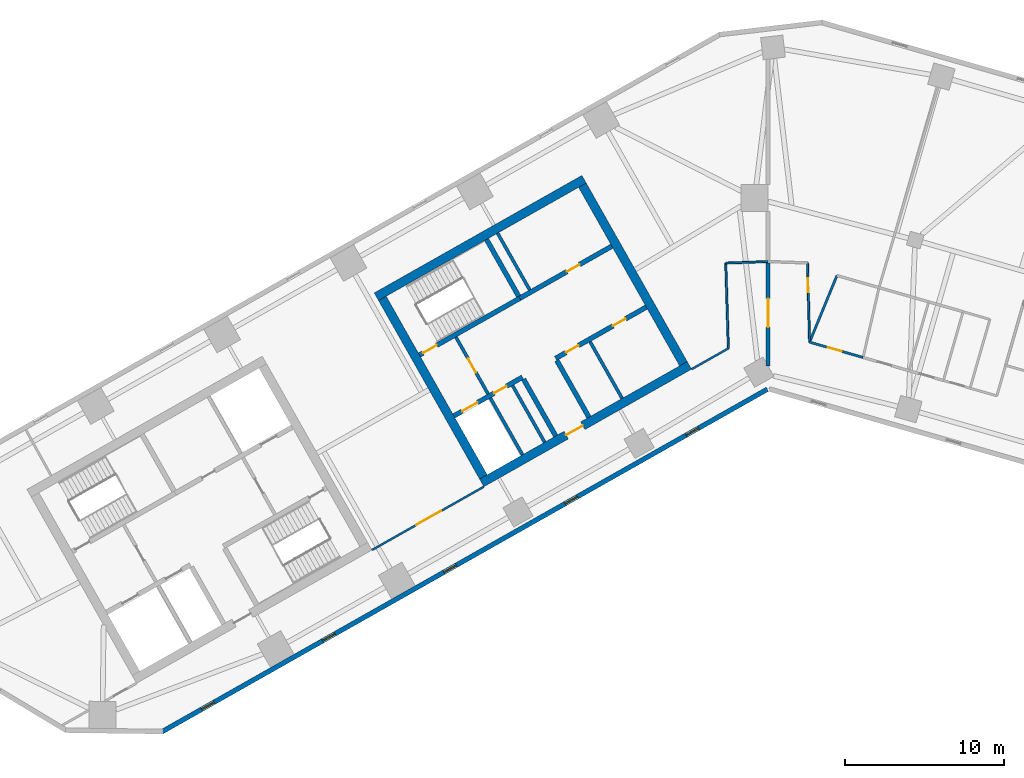
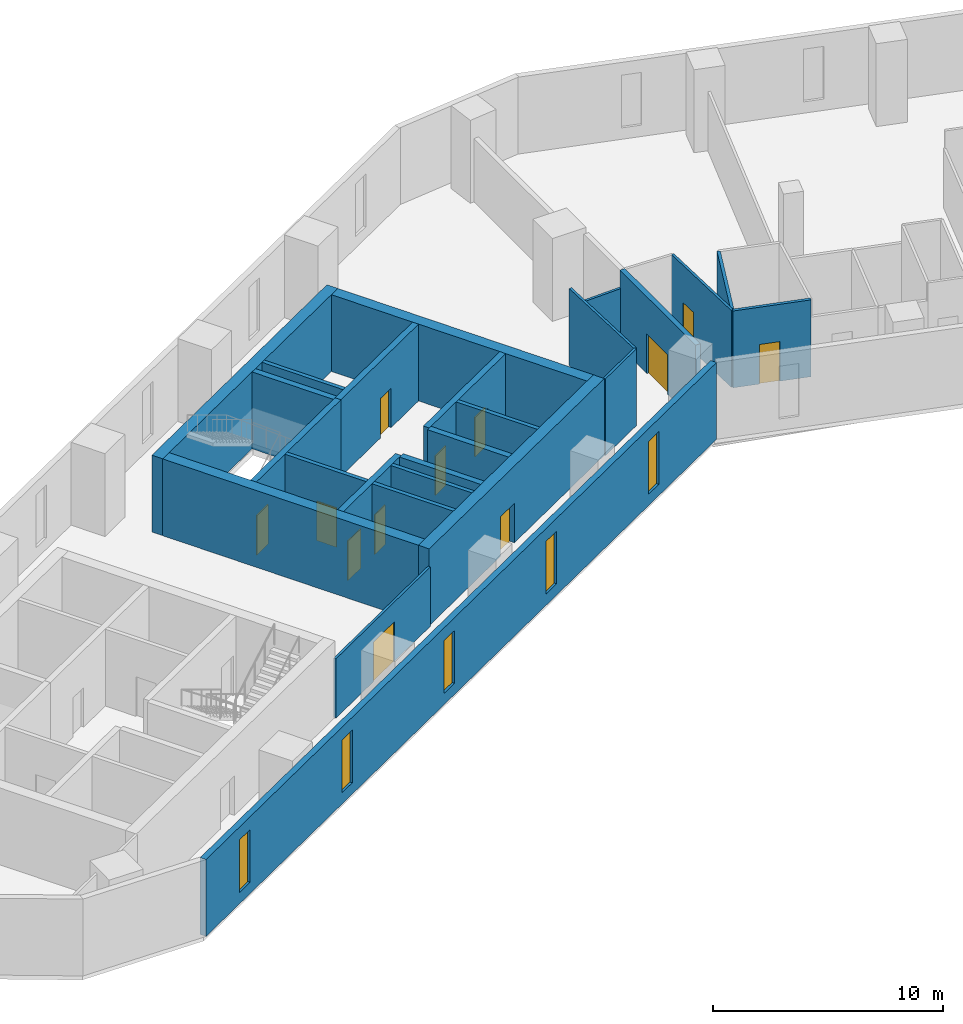
# One storey, part 4 of 10: 25 walls, 12 doors, 5 windows, 17 openings.
"""IFC4 building model written with IfcOpenShell, lengths in metres."""

from ifc_helpers import new_model, si_unit, direction, frame, frame_2d, origin, place, context, subcontext, project, spatial, rectangle, extrude, material, layer, layer_set, type_object, element, fill, save


model = new_model("IFC4")

# Units and contexts
model_context = context("Model", 3, precision=1e-05, world=origin(), true_north=direction((0.0, 1.0)))
body_context = subcontext(model_context, "Body", "Model", "MODEL_VIEW")
ifc_project = project(units=[si_unit("LENGTHUNIT", "METRE"), si_unit("AREAUNIT", "SQUARE_METRE"), si_unit("VOLUMEUNIT", "CUBIC_METRE"), si_unit("PLANEANGLEUNIT", "RADIAN"), si_unit("MASSUNIT", "GRAM", prefix="KILO")], contexts=[model_context])

# Site, building, storey
site_placement = place(None, origin())
site = spatial("IfcSite", under=ifc_project, at=site_placement, CompositionType="ELEMENT")
building_placement = place(site_placement, origin())
building = spatial("IfcBuilding", under=site, at=building_placement, Name="Binnacle Exchange Tower", CompositionType="ELEMENT")
storey_placement = place(building_placement, frame((0.0, 0.0, 110.300048828125)))
storey = spatial("IfcBuildingStorey", under=building, at=storey_placement, Name="L22", CompositionType="ELEMENT", Elevation=110.300048828125)

# Wall
ifc_material_1 = material(Name="Gypsum partition fire rated")
ifc_layer_1 = layer(ifc_material_1, 0.199951171875)
ifc_layer_set_1 = layer_set([ifc_layer_1], Name="Core partition 200")
wall_type_1 = type_object("IfcWallType", Name="Core partition 200", PredefinedType="PARTITIONING", material=ifc_layer_set_1)
wall_1_placement = place(storey_placement, frame((-11.201904296875, 50.96240234375, 0.0), z_axis=(0.0, 0.0, 1.0), x_axis=(0.492428039142, -0.870353161807, 0.0)))
element("IfcWall", 1, at=wall_1_placement, inside=storey, type_object=wall_type_1, Name="Core wall CRWC19", PredefinedType="PARTITIONING", context=body_context, shape_type="SweptSolid", body=[
    extrude(rectangle(XDim=4.10009765625, YDim=0.199951171875, at=frame_2d((2.050048828125, 0.0))), origin(), (0.0, 0.0, 1.0), 4.079833984375),
])

# Wall, openings, doors
ifc_material_2 = material(Name="Concrete C70/85", Category="concrete")
ifc_layer_2 = layer(ifc_material_2, 0.300048828125)
ifc_layer_set_2 = layer_set([ifc_layer_2], Name="Core wall - front 300")
wall_type_2 = type_object("IfcWallType", Name="Core wall - front 300", PredefinedType="SOLIDWALL", material=ifc_layer_set_2)
wall_2_placement = place(storey_placement, frame((-19.76171875, 46.291748046875, 0.0), z_axis=(0.0, 0.0, 1.0), x_axis=(0.870359758983, 0.49241637863, 0.0)))
wall_2 = element("IfcWall", 2, at=wall_2_placement, inside=storey, type_object=wall_type_2, Name="Core wall CRWC2", PredefinedType="SOLIDWALL", context=body_context, shape_type="SweptSolid", body=[
    extrude(rectangle(XDim=4.9501953125, YDim=0.300048828125, at=frame_2d((2.47509765625, 0.0))), origin(), (0.0, 0.0, 1.0), 4.079833984375),
])
opening_1_placement = place(wall_2_placement, frame((0.60009765625, 0.0, 0.0)))
opening_1 = element("IfcOpeningElement", 3, at=opening_1_placement, cuts=wall_2, Name="Opening LD14", PredefinedType="OPENING", context=body_context, shape_type="SweptSolid", body=[
    extrude(rectangle(XDim=1.10009765625, YDim=2.10009765625, at=frame_2d((0.550048828125, 1.050048828125))), frame((0.0, 0.159912109375, 0.0), z_axis=(0.0, -1.0, 0.0), x_axis=(1.0, 0.0, 0.0)), (0.0, 0.0, 1.0), 0.320068359375),
])
opening_2_placement = place(wall_2_placement, frame((2.89990234375, 0.0, 0.0)))
opening_2 = element("IfcOpeningElement", 4, at=opening_2_placement, cuts=wall_2, Name="Opening DC14", PredefinedType="OPENING", context=body_context, shape_type="SweptSolid", body=[
    extrude(rectangle(XDim=0.89990234375, YDim=2.10009765625, at=frame_2d((0.449951171875, 1.050048828125))), frame((0.0, 0.159912109375, 0.0), z_axis=(0.0, -1.0, 0.0), x_axis=(1.0, 0.0, 0.0)), (0.0, 0.0, 1.0), 0.320068359375),
])
ifc_material_3 = material(Name="Steel door leaf", Category="steel")
door_type_1 = type_object("IfcDoorType", Name="Fire door - lift landing 1100", OperationType="NOTDEFINED", PredefinedType="DOOR", material=ifc_material_3)
door_1_placement = place(opening_1_placement, origin())
door_1 = element("IfcDoor", 5, at=door_1_placement, inside=storey, type_object=door_type_1, Name="Landing door LD14 L22", OperationType="DOUBLE_DOOR_SLIDING", OverallHeight=2.10009765625, OverallWidth=1.10009765625, PredefinedType="DOOR", context=body_context, shape_type="SweptSolid", body=[
    extrude(rectangle(XDim=1.10009765625, YDim=2.10009765625, at=frame_2d((0.550048828125, 1.050048828125))), frame((0.0, 0.02490234375, 0.0), z_axis=(0.0, -1.0, 0.0), x_axis=(1.0, 0.0, 0.0)), (0.0, 0.0, 1.0), 0.050048828125),
])
fill(opening_1, door_1)
door_type_2 = type_object("IfcDoorType", Name="Fire door 900", OperationType="NOTDEFINED", PredefinedType="DOOR", material=ifc_material_3)
door_2_placement = place(opening_2_placement, frame((0.89990234375, 0.0, 0.0), z_axis=(0.0, 0.0, 1.0), x_axis=(-1.0, 0.0, 0.0)))
door_2 = element("IfcDoor", 6, at=door_2_placement, inside=storey, type_object=door_type_2, Name="Core room door UPS CUPBOARD", OperationType="SINGLE_SWING_LEFT", OverallHeight=2.10009765625, OverallWidth=0.89990234375, PredefinedType="DOOR", context=body_context, shape_type="SweptSolid", body=[
    extrude(rectangle(XDim=0.89990234375, YDim=2.10009765625, at=frame_2d((0.449951171875, 1.050048828125))), frame((0.0, 0.02490234375, 0.0), z_axis=(0.0, -1.0, 0.0), x_axis=(1.0, 0.0, 0.0)), (0.0, 0.0, 1.0), 0.050048828125),
])
fill(opening_2, door_2)

wall_3_placement = place(storey_placement, frame((-13.364501953125, 49.910888671875, 0.0), z_axis=(0.0, 0.0, 1.0), x_axis=(0.870336435567, 0.492457601144, 0.0)))
wall_3 = element("IfcWall", 7, at=wall_3_placement, inside=storey, type_object=wall_type_2, Name="Core wall CRWC3", PredefinedType="SOLIDWALL", context=body_context, shape_type="SweptSolid", body=[
    extrude(rectangle(XDim=6.550048828125, YDim=0.300048828125, at=frame_2d((3.27490234375, 0.0))), origin(), (0.0, 0.0, 1.0), 4.079833984375),
])
opening_3_placement = place(wall_3_placement, frame((0.75, 0.0, 0.0)))
opening_3 = element("IfcOpeningElement", 8, at=opening_3_placement, cuts=wall_3, Name="Opening DC18", PredefinedType="OPENING", context=body_context, shape_type="SweptSolid", body=[
    extrude(rectangle(XDim=0.89990234375, YDim=2.10009765625, at=frame_2d((0.449951171875, 1.050048828125))), frame((0.0, 0.159912109375, 0.0), z_axis=(0.0, -1.0, 0.0), x_axis=(1.0, 0.0, 0.0)), (0.0, 0.0, 1.0), 0.320068359375),
])
opening_4_placement = place(wall_3_placement, frame((4.14990234375, 0.0, 0.0)))
opening_4 = element("IfcOpeningElement", 9, at=opening_4_placement, cuts=wall_3, Name="Opening DC19", PredefinedType="OPENING", context=body_context, shape_type="SweptSolid", body=[
    extrude(rectangle(XDim=0.89990234375, YDim=2.10009765625, at=frame_2d((0.449951171875, 1.050048828125))), frame((0.0, 0.159912109375, 0.0), z_axis=(0.0, -1.0, 0.0), x_axis=(1.0, 0.0, 0.0)), (0.0, 0.0, 1.0), 0.320068359375),
])
door_3_placement = place(opening_3_placement, frame((0.89990234375, 0.0, 0.0), z_axis=(0.0, 0.0, 1.0), x_axis=(-1.0, 0.0, 0.0)))
door_3 = element("IfcDoor", 10, at=door_3_placement, inside=storey, type_object=door_type_2, Name="Core room door FIBRE ENTRY ROOM", OperationType="SINGLE_SWING_RIGHT", OverallHeight=2.10009765625, OverallWidth=0.89990234375, PredefinedType="DOOR", context=body_context, shape_type="SweptSolid", body=[
    extrude(rectangle(XDim=0.89990234375, YDim=2.10009765625, at=frame_2d((0.449951171875, 1.050048828125))), frame((0.0, 0.02490234375, 0.0), z_axis=(0.0, -1.0, 0.0), x_axis=(1.0, 0.0, 0.0)), (0.0, 0.0, 1.0), 0.050048828125),
])
fill(opening_3, door_3)
door_4_placement = place(opening_4_placement, frame((0.89990234375, 0.0, 0.0), z_axis=(0.0, 0.0, 1.0), x_axis=(-1.0, 0.0, 0.0)))
door_4 = element("IfcDoor", 11, at=door_4_placement, inside=storey, type_object=door_type_2, Name="Core room door TELECOM RISER ROOM", OperationType="SINGLE_SWING_LEFT", OverallHeight=2.10009765625, OverallWidth=0.89990234375, PredefinedType="DOOR", context=body_context, shape_type="SweptSolid", body=[
    extrude(rectangle(XDim=0.89990234375, YDim=2.10009765625, at=frame_2d((0.449951171875, 1.050048828125))), frame((0.0, 0.02490234375, 0.0), z_axis=(0.0, -1.0, 0.0), x_axis=(1.0, 0.0, 0.0)), (0.0, 0.0, 1.0), 0.050048828125),
])
fill(opening_4, door_4)

# Wall, opening, door
wall_4_placement = place(storey_placement, frame((-15.6181640625, 53.69140625, 0.0), z_axis=(0.0, 0.0, 1.0), x_axis=(0.870367894134, 0.492401999246, 0.0)))
wall_4 = element("IfcWall", 12, at=wall_4_placement, inside=storey, type_object=wall_type_2, Name="Core wall CRWC5", PredefinedType="SOLIDWALL", context=body_context, shape_type="SweptSolid", body=[
    extrude(rectangle(XDim=6.64990234375, YDim=0.300048828125, at=frame_2d((3.324951171875, 0.0))), origin(), (0.0, 0.0, 1.0), 4.079833984375),
])
opening_5_placement = place(wall_4_placement, frame((3.400146484375, 0.0, 0.0)))
opening_5 = element("IfcOpeningElement", 13, at=opening_5_placement, cuts=wall_4, Name="Opening DC10", PredefinedType="OPENING", context=body_context, shape_type="SweptSolid", body=[
    extrude(rectangle(XDim=0.89990234375, YDim=2.10009765625, at=frame_2d((0.449951171875, 1.050048828125))), frame((0.0, 0.159912109375, 0.0), z_axis=(0.0, -1.0, 0.0), x_axis=(1.0, 0.0, 0.0)), (0.0, 0.0, 1.0), 0.320068359375),
])
door_5_placement = place(opening_5_placement, origin())
door_5 = element("IfcDoor", 14, at=door_5_placement, inside=storey, type_object=door_type_2, Name="Core room door WORKSHOP STORE", OperationType="SINGLE_SWING_RIGHT", OverallHeight=2.10009765625, OverallWidth=0.89990234375, PredefinedType="DOOR", context=body_context, shape_type="SweptSolid", body=[
    extrude(rectangle(XDim=0.89990234375, YDim=2.10009765625, at=frame_2d((0.449951171875, 1.050048828125))), frame((0.0, 0.02490234375, 0.0), z_axis=(0.0, -1.0, 0.0), x_axis=(1.0, 0.0, 0.0)), (0.0, 0.0, 1.0), 0.050048828125),
])
fill(opening_5, door_5)

# Walls
wall_5_placement = place(storey_placement, frame((-15.37939453125, 48.5986328125, 0.0), z_axis=(0.0, 0.0, 1.0), x_axis=(0.492408451753, -0.87036424366, 0.0)))
element("IfcWall", 15, at=wall_5_placement, inside=storey, type_object=wall_type_2, Name="Core wall CRWC13", PredefinedType="SOLIDWALL", context=body_context, shape_type="SweptSolid", body=[
    extrude(rectangle(XDim=4.099853515625, YDim=0.300048828125, at=frame_2d((2.0498046875, 0.0))), origin(), (0.0, 0.0, 1.0), 4.079833984375),
])
wall_6_placement = place(storey_placement, frame((-13.29052734375, 49.780517578125, 0.0), z_axis=(0.0, 0.0, 1.0), x_axis=(0.492382931784, -0.870378681085, 0.0)))
element("IfcWall", 16, at=wall_6_placement, inside=storey, type_object=wall_type_2, Name="Core wall CRWC15", PredefinedType="SOLIDWALL", context=body_context, shape_type="SweptSolid", body=[
    extrude(rectangle(XDim=4.10009765625, YDim=0.300048828125, at=frame_2d((2.050048828125, 0.0))), origin(), (0.0, 0.0, 1.0), 4.079833984375),
])

# Wall, opening, door
ifc_layer_3 = layer(ifc_material_2, 0.550048828125)
ifc_layer_set_3 = layer_set([ifc_layer_3], Name="Core wall - outer 550")
wall_type_3 = type_object("IfcWallType", Name="Core wall - outer 550", PredefinedType="SOLIDWALL", material=ifc_layer_set_3)
wall_7_placement = place(storey_placement, frame((-18.01220703125, 42.08251953125, 0.0), z_axis=(0.0, 0.0, 1.0), x_axis=(0.870360574057, 0.492414937962, 0.0)))
wall_7 = element("IfcWall", 17, at=wall_7_placement, inside=storey, type_object=wall_type_3, Name="Core wall CRWC1", PredefinedType="SOLIDWALL", context=body_context, shape_type="SweptSolid", body=[
    extrude(rectangle(XDim=15.0, YDim=0.550048828125, at=frame_2d((7.5, 0.0))), origin(), (0.0, 0.0, 1.0), 4.079833984375),
])
opening_6_placement = place(wall_7_placement, frame((6.10009765625, 0.0, 0.0)))
opening_6 = element("IfcOpeningElement", 18, at=opening_6_placement, cuts=wall_7, Name="Opening DC7", PredefinedType="OPENING", context=body_context, shape_type="SweptSolid", body=[
    extrude(rectangle(XDim=1.199951171875, YDim=2.10009765625, at=frame_2d((0.60009765625, 1.050048828125))), frame((0.0, 0.284912109375, 0.0), z_axis=(0.0, -1.0, 0.0), x_axis=(1.0, 0.0, 0.0)), (0.0, 0.0, 1.0), 0.570068359375),
])
door_type_3 = type_object("IfcDoorType", Name="Fire door 1200", OperationType="NOTDEFINED", PredefinedType="DOOR", material=ifc_material_3)
door_6_placement = place(opening_6_placement, frame((1.199951171875, 0.0, 0.0), z_axis=(0.0, 0.0, 1.0), x_axis=(-1.0, 0.0, 0.0)))
door_6 = element("IfcDoor", 19, at=door_6_placement, inside=storey, type_object=door_type_3, Name="Lift lobby entrance door core C", OperationType="SINGLE_SWING_RIGHT", OverallHeight=2.10009765625, OverallWidth=1.199951171875, PredefinedType="DOOR", context=body_context, shape_type="SweptSolid", body=[
    extrude(rectangle(XDim=1.199951171875, YDim=2.10009765625, at=frame_2d((0.60009765625, 1.050048828125))), frame((0.0, 0.02490234375, 0.0), z_axis=(0.0, -1.0, 0.0), x_axis=(1.0, 0.0, 0.0)), (0.0, 0.0, 1.0), 0.050048828125),
])
fill(opening_6, door_6)

# Walls
wall_8_placement = place(storey_placement, frame((-24.63525390625, 53.788818359375, 0.0), z_axis=(0.0, 0.0, 1.0), x_axis=(0.870360574057, 0.492414937962, 0.0)))
element("IfcWall", 20, at=wall_8_placement, inside=storey, type_object=wall_type_3, Name="Core wall CRWC6", PredefinedType="SOLIDWALL", context=body_context, shape_type="SweptSolid", body=[
    extrude(rectangle(XDim=15.0, YDim=0.550048828125, at=frame_2d((7.5, 0.0))), origin(), (0.0, 0.0, 1.0), 4.079833984375),
])
for number, where, z_axis, x_axis, name in (
    (21, (-24.260498046875, 53.684814453125, 0.0), (0.0, 0.0, 1.0), (0.492427022044, -0.870353737259, 0.0), "Core wall CRWC7"),
    (22, (-11.683837890625, 60.80029296875, 0.0), (0.0, 0.0, 1.0), (0.492427022044, -0.870353737259, 0.0), "Core wall CRWC24"),
):
    element("IfcWall", number, at=place(storey_placement, frame(where, z_axis=z_axis, x_axis=x_axis)), inside=storey, type_object=wall_type_3, Name=name, PredefinedType="SOLIDWALL", context=body_context, shape_type="SweptSolid", body=[
        extrude(rectangle(XDim=12.89990234375, YDim=0.550048828125, at=frame_2d((6.449951171875, 0.0))), origin(), (0.0, 0.0, 1.0), 4.079833984375),
    ])

# Wall, opening, door
ifc_layer_4 = layer(ifc_material_2, 0.300048828125)
ifc_layer_set_4 = layer_set([ifc_layer_4], Name="Core wall - stair 300")
wall_type_4 = type_object("IfcWallType", Name="Core wall - stair 300", PredefinedType="SOLIDWALL", material=ifc_layer_set_4)
wall_9_placement = place(storey_placement, frame((-21.92822265625, 50.12109375, 0.0), z_axis=(0.0, 0.0, 1.0), x_axis=(0.870340732628, 0.49245000673, 0.0)))
wall_9 = element("IfcWall", 23, at=wall_9_placement, inside=storey, type_object=wall_type_4, Name="Core wall CRWC4", PredefinedType="SOLIDWALL", context=body_context, shape_type="SweptSolid", body=[
    extrude(rectangle(XDim=7.25, YDim=0.300048828125, at=frame_2d((3.625, 0.0))), origin(), (0.0, 0.0, 1.0), 4.079833984375),
])
opening_7_placement = place(wall_9_placement, frame((0.25, 0.0, 0.0)))
opening_7 = element("IfcOpeningElement", 24, at=opening_7_placement, cuts=wall_9, Name="Opening DC1", PredefinedType="OPENING", context=body_context, shape_type="SweptSolid", body=[
    extrude(rectangle(XDim=1.0, YDim=2.10009765625, at=frame_2d((0.5, 1.050048828125))), frame((0.0, 0.159912109375, 0.0), z_axis=(0.0, -1.0, 0.0), x_axis=(1.0, 0.0, 0.0)), (0.0, 0.0, 1.0), 0.320068359375),
])
door_type_4 = type_object("IfcDoorType", Name="Fire door 1000", OperationType="NOTDEFINED", PredefinedType="DOOR", material=ifc_material_3)
door_7_placement = place(opening_7_placement, origin())
door_7 = element("IfcDoor", 25, at=door_7_placement, inside=storey, type_object=door_type_4, Name="Stair door ST-C1", OperationType="SINGLE_SWING_LEFT", OverallHeight=2.10009765625, OverallWidth=1.0, PredefinedType="DOOR", context=body_context, shape_type="SweptSolid", body=[
    extrude(rectangle(XDim=1.0, YDim=2.10009765625, at=frame_2d((0.5, 1.050048828125))), frame((0.0, 0.02490234375, 0.0), z_axis=(0.0, -1.0, 0.0), x_axis=(1.0, 0.0, 0.0)), (0.0, 0.0, 1.0), 0.050048828125),
])
fill(opening_7, door_7)

# Wall
wall_10_placement = place(storey_placement, frame((-17.7109375, 57.390380859375, 0.0), z_axis=(0.0, 0.0, 1.0), x_axis=(0.492408451753, -0.87036424366, 0.0)))
element("IfcWall", 26, at=wall_10_placement, inside=storey, type_object=wall_type_4, Name="Core wall CRWC14", PredefinedType="SOLIDWALL", context=body_context, shape_type="SweptSolid", body=[
    extrude(rectangle(XDim=4.099853515625, YDim=0.300048828125, at=frame_2d((2.0498046875, 0.0))), origin(), (0.0, 0.0, 1.0), 4.079833984375),
])

# Wall, openings, windows
ifc_material_4 = material(Name="Bronze aluminium cladding", Category="aluminium")
ifc_layer_5 = layer(ifc_material_4, 0.300048828125)
ifc_layer_set_5 = layer_set([ifc_layer_5], Name="External wall - spandrel 300")
wall_type_5 = type_object("IfcWallType", Name="External wall - spandrel 300", PredefinedType="STANDARD", material=ifc_layer_set_5)
wall_11_placement = place(storey_placement, frame((-0.0546875, 47.968994140625, 0.0), z_axis=(0.0, 0.0, 1.0), x_axis=(-0.870355730478, -0.492423499058, 0.0)))
wall_11 = element("IfcWall", 27, at=wall_11_placement, inside=storey, type_object=wall_type_5, Name="External wall EW-F07 L22", PredefinedType="STANDARD", context=body_context, shape_type="SweptSolid", body=[
    extrude(rectangle(XDim=43.750244140625, YDim=0.300048828125, at=frame_2d((21.875, 0.0))), origin(), (0.0, 0.0, 1.0), 4.079833984375),
])
opening_8_placement = place(wall_11_placement, frame((39.976806640625, 0.0, 0.60009765625)))
opening_8 = element("IfcOpeningElement", 28, at=opening_8_placement, cuts=wall_11, Name="Opening WS2", PredefinedType="OPENING", context=body_context, shape_type="SweptSolid", body=[
    extrude(rectangle(XDim=0.89990234375, YDim=2.800048828125, at=frame_2d((0.449951171875, 1.39990234375))), frame((0.0, 0.159912109375, 0.0), z_axis=(0.0, -1.0, 0.0), x_axis=(1.0, 0.0, 0.0)), (0.0, 0.0, 1.0), 0.320068359375),
])
opening_9_placement = place(wall_11_placement, frame((31.222412109375, 0.0, 0.60009765625)))
opening_9 = element("IfcOpeningElement", 29, at=opening_9_placement, cuts=wall_11, Name="Opening WS2", PredefinedType="OPENING", context=body_context, shape_type="SweptSolid", body=[
    extrude(rectangle(XDim=0.89990234375, YDim=2.800048828125, at=frame_2d((0.449951171875, 1.39990234375))), frame((0.0, 0.159912109375, 0.0), z_axis=(0.0, -1.0, 0.0), x_axis=(1.0, 0.0, 0.0)), (0.0, 0.0, 1.0), 0.320068359375),
])
opening_10_placement = place(wall_11_placement, frame((22.4677734375, 0.0, 0.60009765625)))
opening_10 = element("IfcOpeningElement", 30, at=opening_10_placement, cuts=wall_11, Name="Opening WS2", PredefinedType="OPENING", context=body_context, shape_type="SweptSolid", body=[
    extrude(rectangle(XDim=0.89990234375, YDim=2.800048828125, at=frame_2d((0.449951171875, 1.39990234375))), frame((0.0, 0.159912109375, 0.0), z_axis=(0.0, -1.0, 0.0), x_axis=(1.0, 0.0, 0.0)), (0.0, 0.0, 1.0), 0.320068359375),
])
opening_11_placement = place(wall_11_placement, frame((13.713134765625, 0.0, 0.60009765625)))
opening_11 = element("IfcOpeningElement", 31, at=opening_11_placement, cuts=wall_11, Name="Opening WS2", PredefinedType="OPENING", context=body_context, shape_type="SweptSolid", body=[
    extrude(rectangle(XDim=0.89990234375, YDim=2.800048828125, at=frame_2d((0.449951171875, 1.39990234375))), frame((0.0, 0.159912109375, 0.0), z_axis=(0.0, -1.0, 0.0), x_axis=(1.0, 0.0, 0.0)), (0.0, 0.0, 1.0), 0.320068359375),
])
opening_12_placement = place(wall_11_placement, frame((4.958740234375, 0.0, 0.60009765625)))
opening_12 = element("IfcOpeningElement", 32, at=opening_12_placement, cuts=wall_11, Name="Opening WS2", PredefinedType="OPENING", context=body_context, shape_type="SweptSolid", body=[
    extrude(rectangle(XDim=0.89990234375, YDim=2.800048828125, at=frame_2d((0.449951171875, 1.39990234375))), frame((0.0, 0.159912109375, 0.0), z_axis=(0.0, -1.0, 0.0), x_axis=(1.0, 0.0, 0.0)), (0.0, 0.0, 1.0), 0.320068359375),
])
ifc_material_5 = material(Name="Bronze anodised aluminium frame", Category="aluminium")
window_type = type_object("IfcWindowType", Name="WS2 WINDOW 900x2800", PartitioningType="SINGLE_PANEL", PredefinedType="WINDOW", material=ifc_material_5)
window_1_placement = place(opening_8_placement, origin())
window_1 = element("IfcWindow", 33, at=window_1_placement, inside=storey, type_object=window_type, Name="Window WS2 L22", OverallHeight=2.800048828125, OverallWidth=0.89990234375, PartitioningType="SINGLE_PANEL", PredefinedType="WINDOW", context=body_context, shape_type="SweptSolid", body=[
    extrude(rectangle(XDim=0.89990234375, YDim=2.800048828125, at=frame_2d((0.449951171875, 1.39990234375))), frame((0.0, 0.030029296875, 0.0), z_axis=(0.0, -1.0, 0.0), x_axis=(1.0, 0.0, 0.0)), (0.0, 0.0, 1.0), 0.06005859375),
])
fill(opening_8, window_1)
window_2_placement = place(opening_9_placement, origin())
window_2 = element("IfcWindow", 34, at=window_2_placement, inside=storey, type_object=window_type, Name="Window WS2 L22", OverallHeight=2.800048828125, OverallWidth=0.89990234375, PartitioningType="SINGLE_PANEL", PredefinedType="WINDOW", context=body_context, shape_type="SweptSolid", body=[
    extrude(rectangle(XDim=0.89990234375, YDim=2.800048828125, at=frame_2d((0.449951171875, 1.39990234375))), frame((0.0, 0.030029296875, 0.0), z_axis=(0.0, -1.0, 0.0), x_axis=(1.0, 0.0, 0.0)), (0.0, 0.0, 1.0), 0.06005859375),
])
fill(opening_9, window_2)
window_3_placement = place(opening_10_placement, origin())
window_3 = element("IfcWindow", 35, at=window_3_placement, inside=storey, type_object=window_type, Name="Window WS2 L22", OverallHeight=2.800048828125, OverallWidth=0.89990234375, PartitioningType="SINGLE_PANEL", PredefinedType="WINDOW", context=body_context, shape_type="SweptSolid", body=[
    extrude(rectangle(XDim=0.89990234375, YDim=2.800048828125, at=frame_2d((0.449951171875, 1.39990234375))), frame((0.0, 0.030029296875, 0.0), z_axis=(0.0, -1.0, 0.0), x_axis=(1.0, 0.0, 0.0)), (0.0, 0.0, 1.0), 0.06005859375),
])
fill(opening_10, window_3)
window_4_placement = place(opening_11_placement, origin())
window_4 = element("IfcWindow", 36, at=window_4_placement, inside=storey, type_object=window_type, Name="Window WS2 L22", OverallHeight=2.800048828125, OverallWidth=0.89990234375, PartitioningType="SINGLE_PANEL", PredefinedType="WINDOW", context=body_context, shape_type="SweptSolid", body=[
    extrude(rectangle(XDim=0.89990234375, YDim=2.800048828125, at=frame_2d((0.449951171875, 1.39990234375))), frame((0.0, 0.030029296875, 0.0), z_axis=(0.0, -1.0, 0.0), x_axis=(1.0, 0.0, 0.0)), (0.0, 0.0, 1.0), 0.06005859375),
])
fill(opening_11, window_4)
window_5_placement = place(opening_12_placement, origin())
window_5 = element("IfcWindow", 37, at=window_5_placement, inside=storey, type_object=window_type, Name="Window WS2 L22", OverallHeight=2.800048828125, OverallWidth=0.89990234375, PartitioningType="SINGLE_PANEL", PredefinedType="WINDOW", context=body_context, shape_type="SweptSolid", body=[
    extrude(rectangle(XDim=0.89990234375, YDim=2.800048828125, at=frame_2d((0.449951171875, 1.39990234375))), frame((0.0, 0.030029296875, 0.0), z_axis=(0.0, -1.0, 0.0), x_axis=(1.0, 0.0, 0.0)), (0.0, 0.0, 1.0), 0.06005859375),
])
fill(opening_12, window_5)

# Wall, opening, door
ifc_material_6 = material(Name="Concrete fire wall C30/37", Category="concrete")
ifc_layer_6 = layer(ifc_material_6, 0.25)
ifc_layer_set_6 = layer_set([ifc_layer_6], Name="Fire wall - compartment 250")
wall_type_6 = type_object("IfcWallType", Name="Fire wall - compartment 250", PredefinedType="PARTITIONING", material=ifc_layer_set_6)
wall_12_placement = place(storey_placement, frame((0.0, 49.422119140625, 0.0), z_axis=(0.0, 0.0, 1.0), x_axis=(0.0, 1.0, 0.0)))
wall_12 = element("IfcWall", 38, at=wall_12_placement, inside=storey, type_object=wall_type_6, Name="Fire Wall W08", PredefinedType="PARTITIONING", context=body_context, shape_type="SweptSolid", body=[
    extrude(rectangle(XDim=6.577880859375, YDim=0.25, at=frame_2d((3.2890625, 0.0))), origin(), (0.0, 0.0, 1.0), 4.079833984375),
])
opening_13_placement = place(wall_12_placement, frame((2.449951171875, 0.0, 0.0)))
opening_13 = element("IfcOpeningElement", 39, at=opening_13_placement, cuts=wall_12, Name="Opening DL22-12", PredefinedType="OPENING", context=body_context, shape_type="SweptSolid", body=[
    extrude(rectangle(XDim=1.800048828125, YDim=2.10009765625, at=frame_2d((0.89990234375, 1.050048828125))), frame((0.0, 0.135009765625, 0.0), z_axis=(0.0, -1.0, 0.0), x_axis=(1.0, 0.0, 0.0)), (0.0, 0.0, 1.0), 0.27001953125),
])
door_type_5 = type_object("IfcDoorType", Name="Fire door 1800", OperationType="NOTDEFINED", PredefinedType="DOOR", material=ifc_material_3)
door_8_placement = place(opening_13_placement, origin())
door_8 = element("IfcDoor", 40, at=door_8_placement, inside=storey, type_object=door_type_5, Name="Door DL22-12", OperationType="DOUBLE_DOOR_SINGLE_SWING", OverallHeight=2.10009765625, OverallWidth=1.800048828125, PredefinedType="DOOR", context=body_context, shape_type="SweptSolid", body=[
    extrude(rectangle(XDim=1.800048828125, YDim=2.10009765625, at=frame_2d((0.89990234375, 1.050048828125))), frame((0.0, 0.02490234375, 0.0), z_axis=(0.0, -1.0, 0.0), x_axis=(1.0, 0.0, 0.0)), (0.0, 0.0, 1.0), 0.050048828125),
])
fill(opening_13, door_8)

ifc_material_7 = material(Name="Masonry block wall", Category="masonry")
ifc_layer_7 = layer(ifc_material_7, 0.199951171875)
ifc_layer_set_7 = layer_set([ifc_layer_7], Name="Fire wall - vestibule 200")
wall_type_7 = type_object("IfcWallType", Name="Fire wall - vestibule 200", PredefinedType="PARTITIONING", material=ifc_layer_set_7)
wall_13_placement = place(storey_placement, frame((-19.635009765625, 51.246337890625, 0.0), z_axis=(0.0, 0.0, 1.0), x_axis=(0.492408451753, -0.87036424366, 0.0)))
wall_13 = element("IfcWall", 41, at=wall_13_placement, inside=storey, type_object=wall_type_7, Name="Core wall CRWC10", PredefinedType="PARTITIONING", context=body_context, shape_type="SweptSolid", body=[
    extrude(rectangle(XDim=4.099853515625, YDim=0.199951171875, at=frame_2d((2.0498046875, 0.0))), origin(), (0.0, 0.0, 1.0), 4.079833984375),
])
opening_14_placement = place(wall_13_placement, frame((1.550048828125, 0.0, 0.0)))
opening_14 = element("IfcOpeningElement", 42, at=opening_14_placement, cuts=wall_13, Name="Opening DC3", PredefinedType="OPENING", context=body_context, shape_type="SweptSolid", body=[
    extrude(rectangle(XDim=1.0, YDim=2.10009765625, at=frame_2d((0.5, 1.050048828125))), frame((0.0, 0.10986328125, 0.0), z_axis=(0.0, -1.0, 0.0), x_axis=(1.0, 0.0, 0.0)), (0.0, 0.0, 1.0), 0.219970703125),
])
door_9_placement = place(opening_14_placement, frame((1.0, 0.0, 0.0), z_axis=(0.0, 0.0, 1.0), x_axis=(-1.0, 0.0, 0.0)))
door_9 = element("IfcDoor", 43, at=door_9_placement, inside=storey, type_object=door_type_4, Name="Vestibule door VEST-W", OperationType="SINGLE_SWING_RIGHT", OverallHeight=2.10009765625, OverallWidth=1.0, PredefinedType="DOOR", context=body_context, shape_type="SweptSolid", body=[
    extrude(rectangle(XDim=1.0, YDim=2.10009765625, at=frame_2d((0.5, 1.050048828125))), frame((0.0, 0.02490234375, 0.0), z_axis=(0.0, -1.0, 0.0), x_axis=(1.0, 0.0, 0.0)), (0.0, 0.0, 1.0), 0.050048828125),
])
fill(opening_14, door_9)

# Wall
ifc_layer_8 = layer(ifc_material_1, 0.14990234375)
ifc_layer_set_8 = layer_set([ifc_layer_8], Name="Fire-rated partition 150")
wall_type_8 = type_object("IfcWallType", Name="Fire-rated partition 150", PredefinedType="PARTITIONING", material=ifc_layer_set_8)
wall_14_placement = place(storey_placement, frame((2.60107421875, 50.931884765625, 0.0), z_axis=(0.0, 0.0, 1.0), x_axis=(0.380066317543, 0.924959239247, 0.0)))
element("IfcWall", 44, at=wall_14_placement, inside=storey, type_object=wall_type_8, Name="Partition W13", PredefinedType="PARTITIONING", context=body_context, shape_type="SweptSolid", body=[
    extrude(rectangle(XDim=4.528076171875, YDim=0.14990234375, at=frame_2d((2.26416015625, 0.0))), origin(), (0.0, 0.0, 1.0), 4.079833984375),
])

# Wall, opening, door
wall_15_placement = place(storey_placement, frame((2.60107421875, 50.931884765625, 0.0), z_axis=(0.0, 0.0, 1.0), x_axis=(0.961265606965, -0.27562371608, 0.0)))
wall_15 = element("IfcWall", 45, at=wall_15_placement, inside=storey, type_object=wall_type_8, Name="Partition W14", PredefinedType="PARTITIONING", context=body_context, shape_type="SweptSolid", body=[
    extrude(rectangle(XDim=3.50048828125, YDim=0.14990234375, at=frame_2d((1.750244140625, 0.0))), origin(), (0.0, 0.0, 1.0), 4.079833984375),
])
opening_15_placement = place(wall_15_placement, frame((1.199951171875, 0.0, 0.0)))
opening_15 = element("IfcOpeningElement", 46, at=opening_15_placement, cuts=wall_15, Name="Opening DL22-03", PredefinedType="OPENING", context=body_context, shape_type="SweptSolid", body=[
    extrude(rectangle(XDim=0.89990234375, YDim=2.10009765625, at=frame_2d((0.449951171875, 1.050048828125))), frame((0.0, 0.0849609375, 0.0), z_axis=(0.0, -1.0, 0.0), x_axis=(1.0, 0.0, 0.0)), (0.0, 0.0, 1.0), 0.169921875),
])
door_10_placement = place(opening_15_placement, origin())
door_10 = element("IfcDoor", 47, at=door_10_placement, inside=storey, type_object=door_type_2, Name="Door DL22-03", OperationType="SINGLE_SWING_LEFT", OverallHeight=2.10009765625, OverallWidth=0.89990234375, PredefinedType="DOOR", context=body_context, shape_type="SweptSolid", body=[
    extrude(rectangle(XDim=0.89990234375, YDim=2.10009765625, at=frame_2d((0.449951171875, 1.050048828125))), frame((0.0, 0.02490234375, 0.0), z_axis=(0.0, -1.0, 0.0), x_axis=(1.0, 0.0, 0.0)), (0.0, 0.0, 1.0), 0.050048828125),
])
fill(opening_15, door_10)

ifc_material_8 = material(Name="Gypsum partition")
ifc_layer_9 = layer(ifc_material_8, 0.125)
ifc_layer_set_9 = layer_set([ifc_layer_9], Name="Partition 125")
wall_type_9 = type_object("IfcWallType", Name="Partition 125", PredefinedType="PARTITIONING", material=ifc_layer_set_9)
wall_16_placement = place(storey_placement, frame((-24.9189453125, 37.85888671875, 0.0), z_axis=(0.0, 0.0, 1.0), x_axis=(0.870357635969, 0.492420131098, 0.0)))
wall_16 = element("IfcWall", 48, at=wall_16_placement, inside=storey, type_object=wall_type_9, Name="Partition W04", PredefinedType="PARTITIONING", context=body_context, shape_type="SweptSolid", body=[
    extrude(rectangle(XDim=8.0908203125, YDim=0.125, at=frame_2d((4.04541015625, 0.0))), origin(), (0.0, 0.0, 1.0), 3.14794921875),
])
opening_16_placement = place(wall_16_placement, frame((3.199951171875, 0.0, 0.0)))
opening_16 = element("IfcOpeningElement", 49, at=opening_16_placement, cuts=wall_16, Name="Opening DL22-02", PredefinedType="OPENING", context=body_context, shape_type="SweptSolid", body=[
    extrude(rectangle(XDim=1.800048828125, YDim=2.10009765625, at=frame_2d((0.89990234375, 1.050048828125))), frame((0.0, 0.072509765625, 0.0), z_axis=(0.0, -1.0, 0.0), x_axis=(1.0, 0.0, 0.0)), (0.0, 0.0, 1.0), 0.14501953125),
])
ifc_material_9 = material(Name="Timber door leaf", Category="wood")
door_type_6 = type_object("IfcDoorType", Name="Double door 1800", OperationType="NOTDEFINED", PredefinedType="DOOR", material=ifc_material_9)
door_11_placement = place(opening_16_placement, origin())
door_11 = element("IfcDoor", 50, at=door_11_placement, inside=storey, type_object=door_type_6, Name="Door DL22-02", OperationType="DOUBLE_DOOR_SINGLE_SWING", OverallHeight=2.10009765625, OverallWidth=1.800048828125, PredefinedType="DOOR", context=body_context, shape_type="SweptSolid", body=[
    extrude(rectangle(XDim=1.800048828125, YDim=2.10009765625, at=frame_2d((0.89990234375, 1.050048828125))), frame((0.0, 0.02490234375, 0.0), z_axis=(0.0, -1.0, 0.0), x_axis=(1.0, 0.0, 0.0)), (0.0, 0.0, 1.0), 0.050048828125),
])
fill(opening_16, door_11)

# Walls
wall_17_placement = place(storey_placement, frame((-4.821044921875, 49.22998046875, 0.0), z_axis=(0.0, 0.0, 1.0), x_axis=(0.870371217631, 0.492396124598, 0.0)))
element("IfcWall", 51, at=wall_17_placement, inside=storey, type_object=wall_type_9, Name="Partition W05", PredefinedType="PARTITIONING", context=body_context, shape_type="SweptSolid", body=[
    extrude(rectangle(XDim=2.65869140625, YDim=0.125, at=frame_2d((1.329345703125, 0.0))), origin(), (0.0, 0.0, 1.0), 4.079833984375),
])
wall_18_placement = place(storey_placement, frame((-2.669921875, 55.904052734375, 0.0), z_axis=(0.0, 0.0, 1.0), x_axis=(0.030338701418, -0.999539675649, 0.0)))
element("IfcWall", 52, at=wall_18_placement, inside=storey, type_object=wall_type_9, Name="Partition W06", PredefinedType="PARTITIONING", context=body_context, shape_type="SweptSolid", body=[
    extrude(rectangle(XDim=5.367431640625, YDim=0.125, at=frame_2d((2.68359375, 0.0))), origin(), (0.0, 0.0, 1.0), 4.079833984375),
])
wall_19_placement = place(storey_placement, frame((-2.669921875, 55.904052734375, 0.0), z_axis=(0.0, 0.0, 1.0), x_axis=(0.999354913865, 0.03591317494, 0.0)))
element("IfcWall", 53, at=wall_19_placement, inside=storey, type_object=wall_type_9, Name="Partition W07", PredefinedType="PARTITIONING", context=body_context, shape_type="SweptSolid", body=[
    extrude(rectangle(XDim=2.671630859375, YDim=0.125, at=frame_2d((1.3359375, 0.0))), origin(), (0.0, 0.0, 1.0), 3.141845703125),
])

# Wall, opening, door
wall_20_placement = place(storey_placement, frame((2.468994140625, 55.910888671875, 0.0), z_axis=(0.0, 0.0, 1.0), x_axis=(0.02651808123, -0.999648333849, 0.0)))
wall_20 = element("IfcWall", 54, at=wall_20_placement, inside=storey, type_object=wall_type_9, Name="Partition W12", PredefinedType="PARTITIONING", context=body_context, shape_type="SweptSolid", body=[
    extrude(rectangle(XDim=4.980712890625, YDim=0.125, at=frame_2d((2.490234375, 0.0))), origin(), (0.0, 0.0, 1.0), 4.079833984375),
])
opening_17_placement = place(wall_20_placement, frame((0.949951171875, 0.0, 0.0)))
opening_17 = element("IfcOpeningElement", 55, at=opening_17_placement, cuts=wall_20, Name="Opening DL22-07", PredefinedType="OPENING", context=body_context, shape_type="SweptSolid", body=[
    extrude(rectangle(XDim=0.89990234375, YDim=2.10009765625, at=frame_2d((0.449951171875, 1.050048828125))), frame((0.0, 0.072509765625, 0.0), z_axis=(0.0, -1.0, 0.0), x_axis=(1.0, 0.0, 0.0)), (0.0, 0.0, 1.0), 0.14501953125),
])
door_type_7 = type_object("IfcDoorType", Name="Door 900", OperationType="NOTDEFINED", PredefinedType="DOOR", material=ifc_material_9)
door_12_placement = place(opening_17_placement, origin())
door_12 = element("IfcDoor", 56, at=door_12_placement, inside=storey, type_object=door_type_7, Name="Door DL22-07", OperationType="SINGLE_SWING_LEFT", OverallHeight=2.10009765625, OverallWidth=0.89990234375, PredefinedType="DOOR", context=body_context, shape_type="SweptSolid", body=[
    extrude(rectangle(XDim=0.89990234375, YDim=2.10009765625, at=frame_2d((0.449951171875, 1.050048828125))), frame((0.0, 0.02490234375, 0.0), z_axis=(0.0, -1.0, 0.0), x_axis=(1.0, 0.0, 0.0)), (0.0, 0.0, 1.0), 0.050048828125),
])
fill(opening_17, door_12)

# Walls
ifc_layer_10 = layer(ifc_material_7, 0.199951171875)
ifc_layer_set_10 = layer_set([ifc_layer_10], Name="Riser wall 200")
wall_type_10 = type_object("IfcWallType", Name="Riser wall 200", PredefinedType="SOLIDWALL", material=ifc_layer_set_10)
for number, where, z_axis, x_axis, name in (
    (57, (-16.07568359375, 48.20458984375, 0.0), (0.0, 0.0, 1.0), (0.492408451753, -0.87036424366, 0.0), "Core wall CRWC12"),
    (58, (-17.0146484375, 57.7841796875, 0.0), (0.0, 0.0, 1.0), (0.492408451753, -0.87036424366, 0.0), "Core wall CRWC16"),
):
    element("IfcWall", number, at=place(storey_placement, frame(where, z_axis=z_axis, x_axis=x_axis)), inside=storey, type_object=wall_type_10, Name=name, PredefinedType="SOLIDWALL", context=body_context, shape_type="SweptSolid", body=[
        extrude(rectangle(XDim=4.099853515625, YDim=0.199951171875, at=frame_2d((2.0498046875, 0.0))), origin(), (0.0, 0.0, 1.0), 4.079833984375),
    ])
ifc_layer_11 = layer(ifc_material_7, 0.199951171875)
ifc_layer_set_11 = layer_set([ifc_layer_11], Name="Shaft wall 200")
wall_type_11 = type_object("IfcWallType", Name="Shaft wall 200", PredefinedType="SOLIDWALL", material=ifc_layer_set_11)
wall_21_placement = place(storey_placement, frame((-17.468505859375, 47.416748046875, 0.0), z_axis=(0.0, 0.0, 1.0), x_axis=(0.492453559952, -0.87033872216, 0.0)))
element("IfcWall", 59, at=wall_21_placement, inside=storey, type_object=wall_type_11, Name="Core wall CRWC9", PredefinedType="SOLIDWALL", context=body_context, shape_type="SweptSolid", body=[
    extrude(rectangle(XDim=4.099853515625, YDim=0.199951171875, at=frame_2d((2.0498046875, 0.0))), origin(), (0.0, 0.0, 1.0), 4.079833984375),
])

save(model, "model.ifc")
